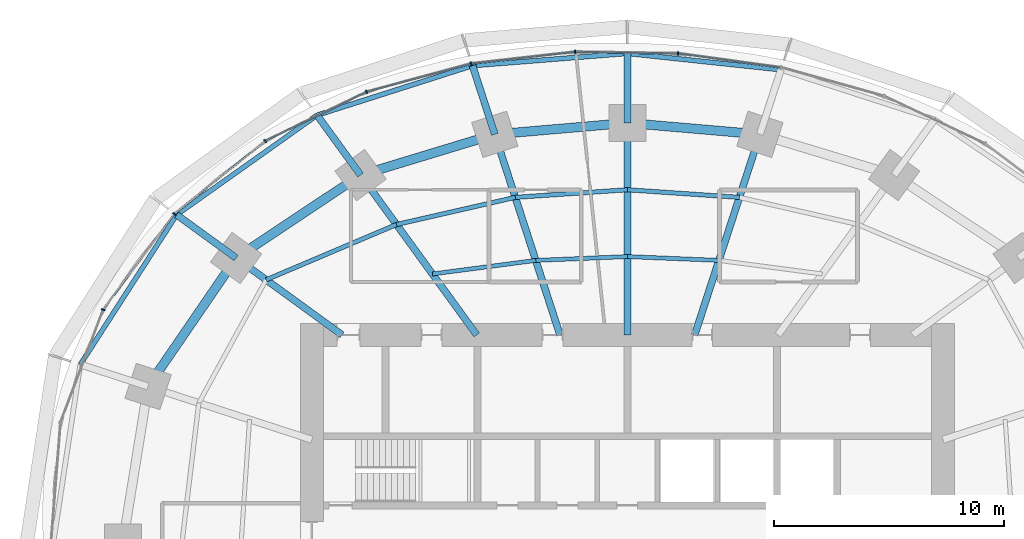
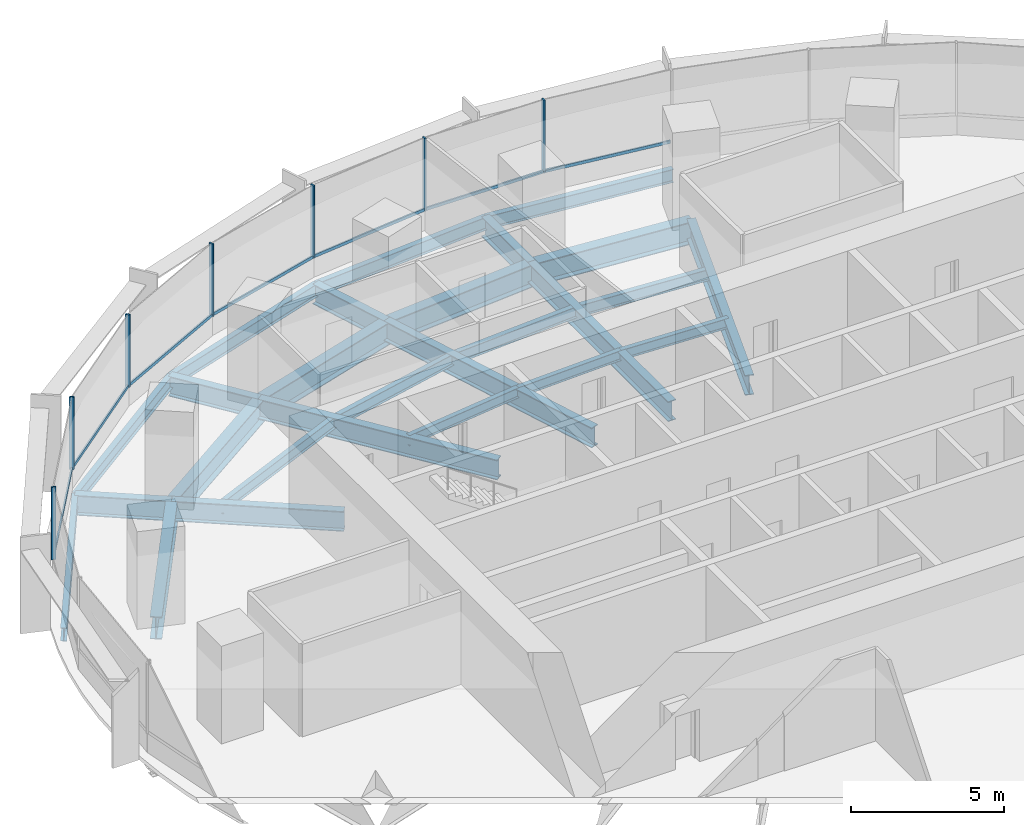
# One storey, part 7 of 14: 26 beams, 14 members, 2 elements without a shape of their own.
"""IFC4 building model written with IfcOpenShell, lengths in metres."""

from ifc_helpers import new_model, si_unit, direction, frame, origin, origin_2d, place, context, subcontext, project, spatial, rectangle, i_section, extrude, material, material_profile, profile_set, type_object, element, aggregate, save


model = new_model("IFC4")

# Units and contexts
model_context = context("Model", 3, precision=1e-05, world=origin(), true_north=direction((0.0, 1.0)))
body_context = subcontext(model_context, "Body", "Model", "MODEL_VIEW")
ifc_project = project(units=[si_unit("LENGTHUNIT", "METRE"), si_unit("AREAUNIT", "SQUARE_METRE"), si_unit("VOLUMEUNIT", "CUBIC_METRE"), si_unit("PLANEANGLEUNIT", "RADIAN"), si_unit("MASSUNIT", "GRAM", prefix="KILO")], contexts=[model_context])

# Site, building, storey
site_placement = place(None, origin())
site = spatial("IfcSite", under=ifc_project, at=site_placement, CompositionType="ELEMENT")
building_placement = place(site_placement, origin())
building = spatial("IfcBuilding", under=site, at=building_placement, Name="Marramba Exchange Tower", CompositionType="ELEMENT")
storey_placement = place(building_placement, frame((0.0, 0.0, 162.60009765625)))
storey = spatial("IfcBuildingStorey", under=building, at=storey_placement, Name="L39", CompositionType="ELEMENT", Elevation=162.60009765625)

# Beams
ifc_material_1 = material(Name="Steel AS/NZS 3679.2 grade 300", Category="steel")
ifc_material_profile_1 = material_profile(ifc_material_1, i_section(OverallWidth=0.300048828125, OverallDepth=0.800048828125, WebThickness=0.013916015625, FlangeThickness=0.031982421875, at=origin_2d()), Name="800WB192")
ifc_profile_set_1 = profile_set([ifc_material_profile_1], Name="Steel AS/NZS 3679.2 grade 300")
beam_type_1 = type_object("IfcBeamType", Name="Cantilever girder 800WB192", PredefinedType="BEAM", material=ifc_profile_set_1)
beam_1_placement = place(storey_placement, frame((0.0, 18.2041015625, -0.56005859375), z_axis=(0.0, 1.0, 0.0), x_axis=(-1.0, 0.0, 0.0)))
element("IfcBeam", 1, at=beam_1_placement, inside=storey, type_object=beam_type_1, Name="Cantilever girder L39 TC06", PredefinedType="BEAM", context=body_context, shape_type="SweptSolid", body=[
    extrude(i_section(OverallWidth=0.300048828125, OverallDepth=0.800048828125, WebThickness=0.013916015625, FlangeThickness=0.031982421875, at=origin_2d()), origin(), (0.0, 0.0, 1.0), 3.01904296875),
])
beam_2_placement = place(storey_placement, frame((-5.75390625, 17.70849609375, -0.56005859375), z_axis=(-0.309028002802, 0.95105293937, 0.0), x_axis=(-0.95105293937, -0.309028002802, 0.0)))
element("IfcBeam", 2, at=beam_2_placement, inside=storey, type_object=beam_type_1, Name="Cantilever girder L39 TC07", PredefinedType="BEAM", context=body_context, shape_type="SweptSolid", body=[
    extrude(i_section(OverallWidth=0.300048828125, OverallDepth=0.800048828125, WebThickness=0.013916015625, FlangeThickness=0.031982421875, at=origin_2d()), origin(), (0.0, 0.0, 1.0), 3.13720703125),
])
beam_3_placement = place(storey_placement, frame((-11.581298828125, 15.9404296875, -0.56005859375), z_axis=(-0.587828447158, 0.808985609706, 0.0), x_axis=(-0.808985609706, -0.587828447158, 0.0)))
element("IfcBeam", 3, at=beam_3_placement, inside=storey, type_object=beam_type_1, Name="Cantilever girder L39 TC08", PredefinedType="BEAM", context=body_context, shape_type="SweptSolid", body=[
    extrude(i_section(OverallWidth=0.300048828125, OverallDepth=0.800048828125, WebThickness=0.013916015625, FlangeThickness=0.031982421875, at=origin_2d()), origin(), (0.0, 0.0, 1.0), 3.214599609375),
])
beam_4_placement = place(storey_placement, frame((-16.98583984375, 12.3408203125, -0.56005859375), z_axis=(-0.809013857915, 0.587789569234, 0.0), x_axis=(-0.587789569234, -0.809013857915, 0.0)))
element("IfcBeam", 4, at=beam_4_placement, inside=storey, type_object=beam_type_1, Name="Cantilever girder L39 TC09", PredefinedType="BEAM", context=body_context, shape_type="SweptSolid", body=[
    extrude(i_section(OverallWidth=0.300048828125, OverallDepth=0.800048828125, WebThickness=0.013916015625, FlangeThickness=0.031982421875, at=origin_2d()), origin(), (0.0, 0.0, 1.0), 3.191650390625),
])
ifc_material_2 = material(Name="Steel AS/NZS 3679.1 grade 300", Category="steel")
ifc_material_profile_2 = material_profile(ifc_material_2, i_section(OverallWidth=0.177978515625, OverallDepth=0.406005859375, WebThickness=0.0078125, FlangeThickness=0.0126953125, FilletRadius=0.011474609375, at=origin_2d()), Name="410UB59.7")
ifc_profile_set_2 = profile_set([ifc_material_profile_2], Name="Steel AS/NZS 3679.1 grade 300")
beam_type_2 = type_object("IfcBeamType", Name="Floor joist 410UB59.7", PredefinedType="JOIST", material=ifc_profile_set_2)
for number, where, z_axis, x_axis, name in (
    (5, (3.975830078125, 12.236083984375, -0.363037109375), (-0.999137002892, 0.041536122257, 0.0), (-0.041536122257, -0.999137002892, 0.0), "Joist L39 bay 05 row 1"),
    (6, (0.0, 12.4013671875, -0.363037109375), (-0.999137002892, -0.041536122257, 0.0), (0.041536122257, -0.999137002892, 0.0), "Joist L39 bay 06 row 1"),
):
    element("IfcBeam", number, at=place(storey_placement, frame(where, z_axis=z_axis, x_axis=x_axis)), inside=storey, type_object=beam_type_2, Name=name, PredefinedType="JOIST", context=body_context, shape_type="SweptSolid", body=[
        extrude(i_section(OverallWidth=0.177978515625, OverallDepth=0.406005859375, WebThickness=0.0078125, FlangeThickness=0.0126953125, FilletRadius=0.011474609375, at=origin_2d()), origin(), (0.0, 0.0, 1.0), 3.979248046875),
    ])
beam_5_placement = place(storey_placement, frame((-3.975830078125, 12.236083984375, -0.363037109375), z_axis=(-0.991480538255, -0.130254912618, 0.0), x_axis=(0.130254912618, -0.991480538255, 0.0)))
element("IfcBeam", 7, at=beam_5_placement, inside=storey, type_object=beam_type_2, Name="Joist L39 bay 07 row 1", PredefinedType="JOIST", context=body_context, shape_type="SweptSolid", body=[
    extrude(i_section(OverallWidth=0.177978515625, OverallDepth=0.406005859375, WebThickness=0.0078125, FlangeThickness=0.0126953125, FilletRadius=0.011474609375, at=origin_2d()), origin(), (0.0, 0.0, 1.0), 4.524658203125),
])
ifc_material_profile_3 = material_profile(ifc_material_2, i_section(OverallWidth=0.18994140625, OverallDepth=0.4541015625, WebThickness=0.008544921875, FlangeThickness=0.0126953125, FilletRadius=0.011474609375, at=origin_2d()), Name="460UB67.1")
ifc_profile_set_3 = profile_set([ifc_material_profile_3], Name="Steel AS/NZS 3679.1 grade 300")
beam_type_3 = type_object("IfcBeamType", Name="Floor joist 460UB67.1", PredefinedType="JOIST", material=ifc_profile_set_3)
for number, where, z_axis, x_axis, name in (
    (8, (4.86474609375, 14.972412109375, -0.38720703125), (-0.997702652202, 0.067745241816, 0.0), (-0.067745241816, -0.997702652202, 0.0), "Joist L39 bay 05 row 2"),
    (9, (0.0, 15.302734375, -0.38720703125), (-0.997702652202, -0.067745241816, 0.0), (0.067745241816, -0.997702652202, 0.0), "Joist L39 bay 06 row 2"),
):
    element("IfcBeam", number, at=place(storey_placement, frame(where, z_axis=z_axis, x_axis=x_axis)), inside=storey, type_object=beam_type_3, Name=name, PredefinedType="JOIST", context=body_context, shape_type="SweptSolid", body=[
        extrude(i_section(OverallWidth=0.18994140625, OverallDepth=0.4541015625, WebThickness=0.008544921875, FlangeThickness=0.0126953125, FilletRadius=0.011474609375, at=origin_2d()), origin(), (0.0, 0.0, 1.0), 4.8759765625),
    ])
beam_6_placement = place(storey_placement, frame((-4.86474609375, 14.972412109375, -0.38720703125), z_axis=(-0.974859652292, -0.222819788916, 0.0), x_axis=(0.222819788916, -0.974859652292, 0.0)))
element("IfcBeam", 10, at=beam_6_placement, inside=storey, type_object=beam_type_3, Name="Joist L39 bay 07 row 2", PredefinedType="JOIST", context=body_context, shape_type="SweptSolid", body=[
    extrude(i_section(OverallWidth=0.18994140625, OverallDepth=0.4541015625, WebThickness=0.008544921875, FlangeThickness=0.0126953125, FilletRadius=0.011474609375, at=origin_2d()), origin(), (0.0, 0.0, 1.0), 5.2900390625),
])
beam_7_placement = place(storey_placement, frame((-10.021728515625, 13.793701171875, -0.38720703125), z_axis=(-0.920674336375, -0.390331610738, 0.0), x_axis=(0.390331610738, -0.920674336375, 0.0)))
element("IfcBeam", 11, at=beam_7_placement, inside=storey, type_object=beam_type_3, Name="Joist L39 bay 08 row 2", PredefinedType="JOIST", context=body_context, shape_type="SweptSolid", body=[
    extrude(i_section(OverallWidth=0.18994140625, OverallDepth=0.4541015625, WebThickness=0.008544921875, FlangeThickness=0.0126953125, FilletRadius=0.011474609375, at=origin_2d()), origin(), (0.0, 0.0, 1.0), 6.1484375),
])

# Curtain wall, members
ifc_material_3 = material(Name="Aluminium framing, bronze anodised", Category="aluminium")
curtain_wall_type = type_object("IfcCurtainWallType", Name="Office ribbon curtain wall", PredefinedType="USERDEFINED", material=ifc_material_3)
curtain_wall_1_placement = place(storey_placement, origin())
curtain_wall_1 = element("IfcCurtainWall", 12, at=curtain_wall_1_placement, inside=storey, type_object=curtain_wall_type, Name="Curtain wall CW4 L39 F06-F10", ObjectType="RIBBON CURTAIN WALL", PredefinedType="USERDEFINED")
ifc_material_4 = material(Name="Aluminium mullion, bronze anodised", Category="aluminium")
ifc_material_profile_4 = material_profile(ifc_material_4, rectangle(XDim=0.159912109375, YDim=0.06005859375, at=origin_2d()), Name="CW4 mullion 60x160")
ifc_profile_set_4 = profile_set([ifc_material_profile_4], Name="Aluminium mullion, bronze anodised")
member_type_1 = type_object("IfcMemberType", Name="Office ribbon curtain wall mullion", PredefinedType="MULLION", material=ifc_profile_set_4)
member_1_placement = place(storey_placement, frame((2.200439453125, 21.2216796875, 0.7998046875), z_axis=(0.0, 0.0, 1.0), x_axis=(-0.01575578169, -0.999875869968, 0.0)))
member_1 = element("IfcMember", 13, at=member_1_placement, type_object=member_type_1, Name="CW4 mullion 1", PredefinedType="MULLION", context=body_context, shape_type="SweptSolid", body=[
    extrude(rectangle(XDim=0.159912109375, YDim=0.06005859375, at=origin_2d()), origin(), (0.0, 0.0, 1.0), 2.900146484375),
])
member_2_placement = place(storey_placement, frame((-2.267578125, 21.288330078125, 0.7998046875), z_axis=(0.0, 0.0, 1.0), x_axis=(0.110973233233, -0.993823395532, 0.0)))
member_2 = element("IfcMember", 14, at=member_2_placement, type_object=member_type_1, Name="CW4 mullion 1", PredefinedType="MULLION", context=body_context, shape_type="SweptSolid", body=[
    extrude(rectangle(XDim=0.159912109375, YDim=0.06005859375, at=origin_2d()), origin(), (0.0, 0.0, 1.0), 2.900146484375),
])
member_3_placement = place(storey_placement, frame((-6.783203125, 20.779541015625, 0.7998046875), z_axis=(0.0, 0.0, 1.0), x_axis=(0.260321294588, -0.965522047176, 0.0)))
member_3 = element("IfcMember", 15, at=member_3_placement, type_object=member_type_1, Name="CW4 mullion 1", PredefinedType="MULLION", context=body_context, shape_type="SweptSolid", body=[
    extrude(rectangle(XDim=0.159912109375, YDim=0.06005859375, at=origin_2d()), origin(), (0.0, 0.0, 1.0), 2.900146484375),
])

curtain_wall_2_placement = place(storey_placement, origin())
curtain_wall_2 = element("IfcCurtainWall", 16, at=curtain_wall_2_placement, inside=storey, type_object=curtain_wall_type, Name="Curtain wall CW4 L39 F11-F15", ObjectType="RIBBON CURTAIN WALL", PredefinedType="USERDEFINED")
member_4_placement = place(storey_placement, frame((-11.32177734375, 19.550048828125, 0.7998046875), z_axis=(0.0, 0.0, 1.0), x_axis=(0.435427626771, -0.900223739881, 0.0)))
member_4 = element("IfcMember", 17, at=member_4_placement, type_object=member_type_1, Name="CW4 mullion 1", PredefinedType="MULLION", context=body_context, shape_type="SweptSolid", body=[
    extrude(rectangle(XDim=0.159912109375, YDim=0.06005859375, at=origin_2d()), origin(), (0.0, 0.0, 1.0), 2.900146484375),
])
member_5_placement = place(storey_placement, frame((-15.720703125, 17.414794921875, 0.7998046875), z_axis=(0.0, 0.0, 1.0), x_axis=(0.624307950145, -0.78117833008, 0.0)))
member_5 = element("IfcMember", 18, at=member_5_placement, type_object=member_type_1, Name="CW4 mullion 1", PredefinedType="MULLION", context=body_context, shape_type="SweptSolid", body=[
    extrude(rectangle(XDim=0.159912109375, YDim=0.06005859375, at=origin_2d()), origin(), (0.0, 0.0, 1.0), 2.900146484375),
])
member_6_placement = place(storey_placement, frame((-19.666748046875, 14.251708984375, 0.7998046875), z_axis=(0.0, 0.0, 1.0), x_axis=(0.80171686484, -0.597703997504, 0.0)))
member_6 = element("IfcMember", 19, at=member_6_placement, type_object=member_type_1, Name="CW4 mullion 1", PredefinedType="MULLION", context=body_context, shape_type="SweptSolid", body=[
    extrude(rectangle(XDim=0.159912109375, YDim=0.06005859375, at=origin_2d()), origin(), (0.0, 0.0, 1.0), 2.900146484375),
])
member_7_placement = place(storey_placement, frame((-22.75341796875, 10.09765625, 0.7998046875), z_axis=(0.0, 0.0, 1.0), x_axis=(0.934925346317, -0.354844468484, 0.0)))
member_7 = element("IfcMember", 20, at=member_7_placement, type_object=member_type_1, Name="CW4 mullion 1", PredefinedType="MULLION", context=body_context, shape_type="SweptSolid", body=[
    extrude(rectangle(XDim=0.159912109375, YDim=0.06005859375, at=origin_2d()), origin(), (0.0, 0.0, 1.0), 2.900146484375),
])

# Member
ifc_material_5 = material(Name="Aluminium transom, bronze anodised", Category="aluminium")
ifc_material_profile_5 = material_profile(ifc_material_5, rectangle(XDim=0.06005859375, YDim=0.1201171875, at=origin_2d()), Name="CW4 transom 60x120")
ifc_profile_set_5 = profile_set([ifc_material_profile_5], Name="Aluminium transom, bronze anodised")
member_type_2 = type_object("IfcMemberType", Name="Office ribbon curtain wall transom", PredefinedType="USERDEFINED", material=ifc_profile_set_5)
member_8_placement = place(storey_placement, frame((6.636962890625, 20.6171875, 0.829833984375), z_axis=(-0.990736067897, 0.135801486619, 0.0), x_axis=(-0.135801486619, -0.990736067897, 0.0)))
member_8 = element("IfcMember", 21, at=member_8_placement, type_object=member_type_2, Name="CW4 sill transom", ObjectType="TRANSOM", PredefinedType="USERDEFINED", context=body_context, shape_type="SweptSolid", body=[
    extrude(rectangle(XDim=0.06005859375, YDim=0.1201171875, at=origin_2d()), origin(), (0.0, 0.0, 1.0), 4.44775390625),
])

member_9_placement = place(storey_placement, frame((2.17041015625, 21.22216796875, 0.829833984375), z_axis=(-0.999875452363, 0.015782260962, 0.0), x_axis=(-0.015782260962, -0.999875452363, 0.0)))
member_9 = element("IfcMember", 22, at=member_9_placement, type_object=member_type_2, Name="CW4 sill transom", ObjectType="TRANSOM", PredefinedType="USERDEFINED", context=body_context, shape_type="SweptSolid", body=[
    extrude(rectangle(XDim=0.06005859375, YDim=0.1201171875, at=origin_2d()), origin(), (0.0, 0.0, 1.0), 4.40869140625),
])

member_10_placement = place(storey_placement, frame((-2.29736328125, 21.284912109375, 0.829833984375), z_axis=(-0.993825837835, -0.110951358943, 0.0), x_axis=(0.110951358943, -0.993825837835, 0.0)))
member_10 = element("IfcMember", 23, at=member_10_placement, type_object=member_type_2, Name="CW4 sill transom", ObjectType="TRANSOM", PredefinedType="USERDEFINED", context=body_context, shape_type="SweptSolid", body=[
    extrude(rectangle(XDim=0.06005859375, YDim=0.1201171875, at=origin_2d()), origin(), (0.0, 0.0, 1.0), 4.484375),
])

member_11_placement = place(storey_placement, frame((-6.812255859375, 20.771728515625, 0.829833984375), z_axis=(-0.965511085148, -0.260361948942, 0.0), x_axis=(0.260361948942, -0.965511085148, 0.0)))
member_11 = element("IfcMember", 24, at=member_11_placement, type_object=member_type_2, Name="CW4 sill transom", ObjectType="TRANSOM", PredefinedType="USERDEFINED", context=body_context, shape_type="SweptSolid", body=[
    extrude(rectangle(XDim=0.06005859375, YDim=0.1201171875, at=origin_2d()), origin(), (0.0, 0.0, 1.0), 4.642578125),
])

aggregate(curtain_wall_1, [member_8, member_1, member_9, member_2, member_10, member_3, member_11])

member_12_placement = place(storey_placement, frame((-11.348876953125, 19.536865234375, 0.829833984375), z_axis=(-0.900223166385, -0.435428812442, 0.0), x_axis=(0.435428812442, -0.900223166385, 0.0)))
member_12 = element("IfcMember", 25, at=member_12_placement, type_object=member_type_2, Name="CW4 sill transom", ObjectType="TRANSOM", PredefinedType="USERDEFINED", context=body_context, shape_type="SweptSolid", body=[
    extrude(rectangle(XDim=0.06005859375, YDim=0.1201171875, at=origin_2d()), origin(), (0.0, 0.0, 1.0), 4.830322265625),
])

member_13_placement = place(storey_placement, frame((-15.744140625, 17.396240234375, 0.829833984375), z_axis=(-0.781164169531, -0.624325668414, 0.0), x_axis=(0.624325668414, -0.781164169531, 0.0)))
member_13 = element("IfcMember", 26, at=member_13_placement, type_object=member_type_2, Name="CW4 sill transom", ObjectType="TRANSOM", PredefinedType="USERDEFINED", context=body_context, shape_type="SweptSolid", body=[
    extrude(rectangle(XDim=0.06005859375, YDim=0.1201171875, at=origin_2d()), origin(), (0.0, 0.0, 1.0), 4.998291015625),
])

member_14_placement = place(storey_placement, frame((-19.6845703125, 14.2275390625, 0.829833984375), z_axis=(-0.597714731658, -0.801708862093, 0.0), x_axis=(0.801708862093, -0.597714731658, 0.0)))
member_14 = element("IfcMember", 27, at=member_14_placement, type_object=member_type_2, Name="CW4 sill transom", ObjectType="TRANSOM", PredefinedType="USERDEFINED", context=body_context, shape_type="SweptSolid", body=[
    extrude(rectangle(XDim=0.06005859375, YDim=0.1201171875, at=origin_2d()), origin(), (0.0, 0.0, 1.0), 5.1162109375),
])

aggregate(curtain_wall_2, [member_4, member_12, member_5, member_13, member_6, member_14, member_7])

# Beams
ifc_material_profile_6 = material_profile(ifc_material_1, i_section(OverallWidth=0.300048828125, OverallDepth=0.800048828125, WebThickness=0.013916015625, FlangeThickness=0.031982421875, at=origin_2d()), Name="800WB192")
ifc_profile_set_6 = profile_set([ifc_material_profile_6], Name="Steel AS/NZS 3679.2 grade 300")
beam_type_4 = type_object("IfcBeamType", Name="Radial girder 800WB192", PredefinedType="BEAM", material=ifc_profile_set_6)
beam_8_placement = place(storey_placement, frame((2.92431640625, 9.0, -0.56005859375), z_axis=(0.309019754162, 0.951055619582, 0.0), x_axis=(-0.951055619582, 0.309019754162, 0.0)))
element("IfcBeam", 28, at=beam_8_placement, inside=storey, type_object=beam_type_4, Name="Radial girder L39 TC05", PredefinedType="BEAM", context=body_context, shape_type="SweptSolid", body=[
    extrude(i_section(OverallWidth=0.300048828125, OverallDepth=0.800048828125, WebThickness=0.013916015625, FlangeThickness=0.031982421875, at=origin_2d()), origin(), (0.0, 0.0, 1.0), 9.15673828125),
])
beam_9_placement = place(storey_placement, frame((0.0, 9.0, -0.56005859375), z_axis=(0.0, 1.0, 0.0), x_axis=(-1.0, 0.0, 0.0)))
element("IfcBeam", 29, at=beam_9_placement, inside=storey, type_object=beam_type_4, Name="Radial girder L39 TC06", PredefinedType="BEAM", context=body_context, shape_type="SweptSolid", body=[
    extrude(i_section(OverallWidth=0.300048828125, OverallDepth=0.800048828125, WebThickness=0.013916015625, FlangeThickness=0.031982421875, at=origin_2d()), origin(), (0.0, 0.0, 1.0), 9.2041015625),
])
beam_10_placement = place(storey_placement, frame((-2.92431640625, 9.0, -0.56005859375), z_axis=(-0.309019754162, 0.951055619582, 0.0), x_axis=(-0.951055619582, -0.309019754162, 0.0)))
element("IfcBeam", 30, at=beam_10_placement, inside=storey, type_object=beam_type_4, Name="Radial girder L39 TC07", PredefinedType="BEAM", context=body_context, shape_type="SweptSolid", body=[
    extrude(i_section(OverallWidth=0.300048828125, OverallDepth=0.800048828125, WebThickness=0.013916015625, FlangeThickness=0.031982421875, at=origin_2d()), origin(), (0.0, 0.0, 1.0), 9.15673828125),
])
beam_11_placement = place(storey_placement, frame((-6.538818359375, 9.0, -0.56005859375), z_axis=(-0.587782439969, 0.80901903764, 0.0), x_axis=(-0.80901903764, -0.587782439969, 0.0)))
element("IfcBeam", 31, at=beam_11_placement, inside=storey, type_object=beam_type_4, Name="Radial girder L39 TC08", PredefinedType="BEAM", context=body_context, shape_type="SweptSolid", body=[
    extrude(i_section(OverallWidth=0.300048828125, OverallDepth=0.800048828125, WebThickness=0.013916015625, FlangeThickness=0.031982421875, at=origin_2d()), origin(), (0.0, 0.0, 1.0), 8.578857421875),
])
beam_12_placement = place(storey_placement, frame((-12.387451171875, 9.0, -0.56005859375), z_axis=(-0.809025746925, 0.587773205252, 0.0), x_axis=(-0.587773205252, -0.809025746925, 0.0)))
element("IfcBeam", 32, at=beam_12_placement, inside=storey, type_object=beam_type_4, Name="Radial girder L39 TC09", PredefinedType="BEAM", context=body_context, shape_type="SweptSolid", body=[
    extrude(i_section(OverallWidth=0.300048828125, OverallDepth=0.800048828125, WebThickness=0.013916015625, FlangeThickness=0.031982421875, at=origin_2d()), origin(), (0.0, 0.0, 1.0), 5.683837890625),
])
ifc_material_profile_7 = material_profile(ifc_material_1, i_section(OverallWidth=0.39990234375, OverallDepth=0.89990234375, WebThickness=0.01611328125, FlangeThickness=0.031982421875, at=origin_2d()), Name="900WB282")
ifc_profile_set_7 = profile_set([ifc_material_profile_7], Name="Steel AS/NZS 3679.2 grade 300")
beam_type_5 = type_object("IfcBeamType", Name="Ring beam 900WB282", PredefinedType="SPANDREL", material=ifc_profile_set_7)
for number, where, z_axis, x_axis, name in (
    (33, (5.75390625, 17.70849609375, -0.610107421875), (-0.996311003275, 0.085815993578, 0.0), (-0.085815993578, -0.996311003275, 0.0), "Ring beam L39 TC05-TC06"),
    (34, (0.0, 18.2041015625, -0.610107421875), (-0.996311003275, -0.085815993578, 0.0), (0.085815993578, -0.996311003275, 0.0), "Ring beam L39 TC06-TC07"),
):
    element("IfcBeam", number, at=place(storey_placement, frame(where, z_axis=z_axis, x_axis=x_axis)), inside=storey, type_object=beam_type_5, Name=name, PredefinedType="SPANDREL", context=body_context, shape_type="SweptSolid", body=[
        extrude(i_section(OverallWidth=0.39990234375, OverallDepth=0.89990234375, WebThickness=0.01611328125, FlangeThickness=0.031982421875, at=origin_2d()), origin(), (0.0, 0.0, 1.0), 5.775146484375),
    ])
beam_13_placement = place(storey_placement, frame((-5.75390625, 17.70849609375, -0.610107421875), z_axis=(-0.956924542524, -0.290336735387, 0.0), x_axis=(0.290336735387, -0.956924542524, 0.0)))
element("IfcBeam", 35, at=beam_13_placement, inside=storey, type_object=beam_type_5, Name="Ring beam L39 TC07-TC08", PredefinedType="SPANDREL", context=body_context, shape_type="SweptSolid", body=[
    extrude(i_section(OverallWidth=0.39990234375, OverallDepth=0.89990234375, WebThickness=0.01611328125, FlangeThickness=0.031982421875, at=origin_2d()), origin(), (0.0, 0.0, 1.0), 6.089599609375),
])
beam_14_placement = place(storey_placement, frame((-11.581298828125, 15.9404296875, -0.610107421875), z_axis=(-0.832293151443, -0.554335737673, 0.0), x_axis=(0.554335737673, -0.832293151443, 0.0)))
element("IfcBeam", 36, at=beam_14_placement, inside=storey, type_object=beam_type_5, Name="Ring beam L39 TC08-TC09", PredefinedType="SPANDREL", context=body_context, shape_type="SweptSolid", body=[
    extrude(i_section(OverallWidth=0.39990234375, OverallDepth=0.89990234375, WebThickness=0.01611328125, FlangeThickness=0.031982421875, at=origin_2d()), origin(), (0.0, 0.0, 1.0), 6.49365234375),
])
beam_15_placement = place(storey_placement, frame((-16.98583984375, 12.3408203125, -0.610107421875), z_axis=(-0.56516002054, -0.824981303535, 0.0), x_axis=(0.824981303535, -0.56516002054, 0.0)))
element("IfcBeam", 37, at=beam_15_placement, inside=storey, type_object=beam_type_5, Name="Ring beam L39 TC09-TC10", PredefinedType="SPANDREL", context=body_context, shape_type="SweptSolid", body=[
    extrude(i_section(OverallWidth=0.39990234375, OverallDepth=0.89990234375, WebThickness=0.01611328125, FlangeThickness=0.031982421875, at=origin_2d()), origin(), (0.0, 0.0, 1.0), 6.763671875),
])
ifc_material_profile_8 = material_profile(ifc_material_2, i_section(OverallWidth=0.208984375, OverallDepth=0.528076171875, WebThickness=0.009521484375, FlangeThickness=0.01318359375, FilletRadius=0.013916015625, at=origin_2d()), Name="530UB82.0")
ifc_profile_set_8 = profile_set([ifc_material_profile_8], Name="Steel AS/NZS 3679.1 grade 300")
beam_type_6 = type_object("IfcBeamType", Name="Slab edge beam 530UB82.0", PredefinedType="SPANDREL", material=ifc_profile_set_8)
beam_16_placement = place(storey_placement, frame((6.66552734375, 20.51416015625, -0.424072265625), z_axis=(-0.994390706415, 0.105769196815, 0.0), x_axis=(-0.105769196815, -0.994390706415, 0.0)))
element("IfcBeam", 38, at=beam_16_placement, inside=storey, type_object=beam_type_6, Name="Slab edge beam L39 TC05-TC06", PredefinedType="SPANDREL", context=body_context, shape_type="SweptSolid", body=[
    extrude(i_section(OverallWidth=0.208984375, OverallDepth=0.528076171875, WebThickness=0.009521484375, FlangeThickness=0.01318359375, FilletRadius=0.013916015625, at=origin_2d()), origin(), (0.0, 0.0, 1.0), 6.703125),
])
beam_17_placement = place(storey_placement, frame((0.0, 21.22314453125, -0.424072265625), z_axis=(-0.996895681721, -0.078733726996, 0.0), x_axis=(0.078733726996, -0.996895681721, 0.0)))
element("IfcBeam", 39, at=beam_17_placement, inside=storey, type_object=beam_type_6, Name="Slab edge beam L39 TC06-TC07", PredefinedType="SPANDREL", context=body_context, shape_type="SweptSolid", body=[
    extrude(i_section(OverallWidth=0.208984375, OverallDepth=0.528076171875, WebThickness=0.009521484375, FlangeThickness=0.01318359375, FilletRadius=0.013916015625, at=origin_2d()), origin(), (0.0, 0.0, 1.0), 6.744384765625),
])
beam_18_placement = place(storey_placement, frame((-6.723388671875, 20.692138671875, -0.424072265625), z_axis=(-0.952755400854, -0.303738614839, 0.0), x_axis=(0.303738614839, -0.952755400854, 0.0)))
element("IfcBeam", 40, at=beam_18_placement, inside=storey, type_object=beam_type_6, Name="Slab edge beam L39 TC07-TC08", PredefinedType="SPANDREL", context=body_context, shape_type="SweptSolid", body=[
    extrude(i_section(OverallWidth=0.208984375, OverallDepth=0.528076171875, WebThickness=0.009521484375, FlangeThickness=0.01318359375, FilletRadius=0.013916015625, at=origin_2d()), origin(), (0.0, 0.0, 1.0), 7.08203125),
])
beam_19_placement = place(storey_placement, frame((-13.470947265625, 18.541015625, -0.424072265625), z_axis=(-0.815673202412, -0.578512944425, 0.0), x_axis=(0.578512944425, -0.815673202412, 0.0)))
element("IfcBeam", 41, at=beam_19_placement, inside=storey, type_object=beam_type_6, Name="Slab edge beam L39 TC08-TC09", PredefinedType="SPANDREL", context=body_context, shape_type="SweptSolid", body=[
    extrude(i_section(OverallWidth=0.208984375, OverallDepth=0.528076171875, WebThickness=0.009521484375, FlangeThickness=0.01318359375, FilletRadius=0.013916015625, at=origin_2d()), origin(), (0.0, 0.0, 1.0), 7.474609375),
])
beam_20_placement = place(storey_placement, frame((-19.56787109375, 14.216796875, -0.424072265625), z_axis=(-0.541060886597, -0.840983422544, 0.0), x_axis=(0.840983422544, -0.541060886597, 0.0)))
element("IfcBeam", 42, at=beam_20_placement, inside=storey, type_object=beam_type_6, Name="Slab edge beam L39 TC09-TC10", PredefinedType="SPANDREL", context=body_context, shape_type="SweptSolid", body=[
    extrude(i_section(OverallWidth=0.208984375, OverallDepth=0.528076171875, WebThickness=0.009521484375, FlangeThickness=0.01318359375, FilletRadius=0.013916015625, at=origin_2d()), origin(), (0.0, 0.0, 1.0), 7.72900390625),
])

save(model, "model.ifc")
